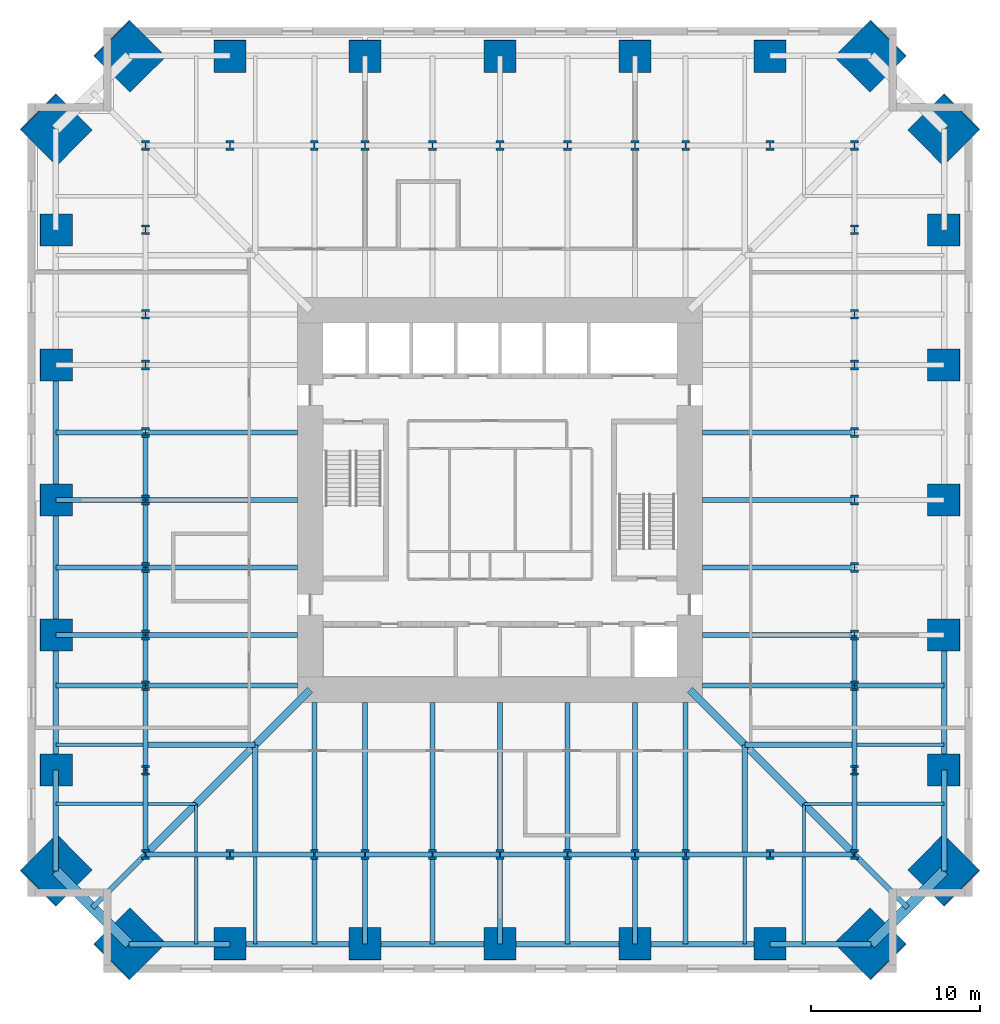
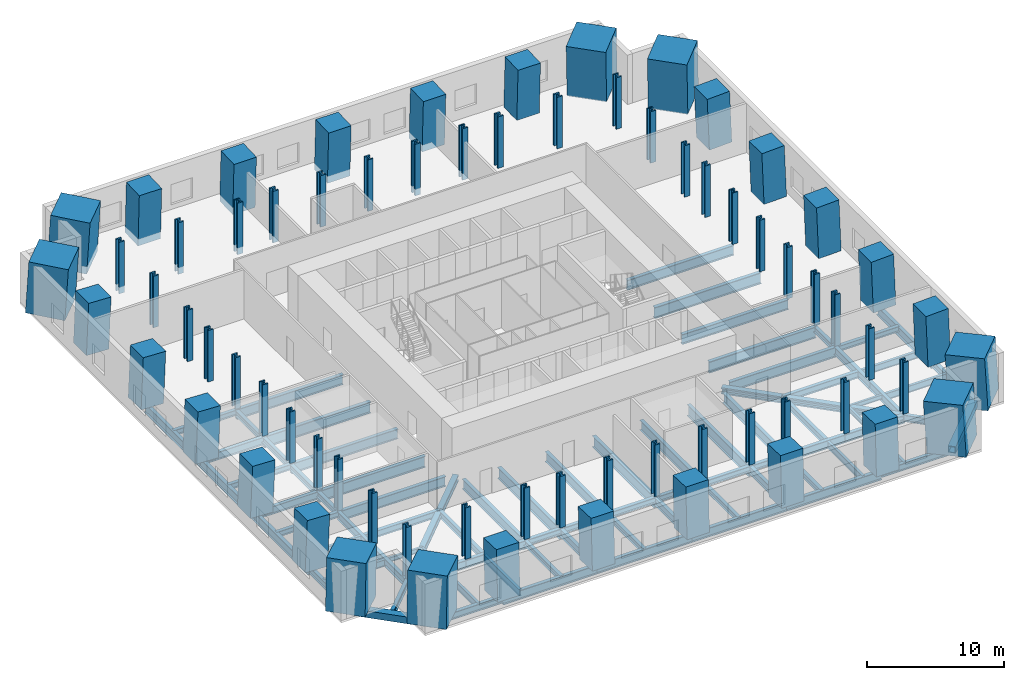
# One storey, part 1 of 8: 83 beams, 68 columns.
"""IFC4 building model written with IfcOpenShell, lengths in metres."""

from ifc_helpers import new_model, si_unit, direction, frame, origin, origin_2d, place, context, subcontext, project, spatial, rectangle, hollow_rectangle, i_section, extrude, material, material_profile, profile_set, type_object, element, save


model = new_model("IFC4")

# Units and contexts
model_context = context("Model", 3, precision=1e-05, world=origin(), true_north=direction((0.0, 1.0)))
body_context = subcontext(model_context, "Body", "Model", "MODEL_VIEW")
ifc_project = project(units=[si_unit("LENGTHUNIT", "METRE"), si_unit("AREAUNIT", "SQUARE_METRE"), si_unit("VOLUMEUNIT", "CUBIC_METRE"), si_unit("PLANEANGLEUNIT", "RADIAN"), si_unit("MASSUNIT", "GRAM", prefix="KILO")], contexts=[model_context])

# Site, building, storey
site_placement = place(None, origin())
site = spatial("IfcSite", under=ifc_project, at=site_placement, CompositionType="ELEMENT")
building_placement = place(site_placement, origin())
building = spatial("IfcBuilding", under=site, at=building_placement, Name="Peilmerk Tower", CompositionType="ELEMENT")
storey_placement = place(building_placement, frame((0.0, 0.0, 113.60009765625)))
storey = spatial("IfcBuildingStorey", under=building, at=storey_placement, Name="L22", CompositionType="ELEMENT", Elevation=113.60009765625)

# Columns
ifc_material_1 = material(Name="Concrete C90/105", Category="concrete")
ifc_material_profile_1 = material_profile(ifc_material_1, rectangle(XDim=3.0, YDim=3.0, at=origin_2d()), Name="RC 3000x3000")
ifc_profile_set_1 = profile_set([ifc_material_profile_1], Name="Concrete C90/105")
column_type_1 = type_object("IfcColumnType", Name="MC1 3000x3000 encased mega column", PredefinedType="COLUMN", material=ifc_profile_set_1)
for number, where, z_axis, x_axis, name in (
    (1, (21.966064453125, 26.316162109375, 0.0), (-0.040219183633, -0.040272173335, 0.998378970794), (0.707572135942, -0.706641119974, 0.0), "Mega column MC1 NE_N L22"),
    (2, (26.316162109375, 21.966064453125, 0.0), (-0.040272173335, -0.040219183633, 0.998378970794), (0.706641119974, -0.707572135942, 0.0), "Mega column MC1 NE_E L22"),
    (3, (26.316162109375, -21.966064453125, 0.0), (-0.040272173335, 0.040219183633, 0.998378970794), (-0.706641119974, -0.707572135942, 0.0), "Mega column MC1 SE_E L22"),
    (4, (21.966064453125, -26.316162109375, 0.0), (-0.040219183633, 0.040272173335, 0.998378970794), (-0.707572135942, -0.706641119974, 0.0), "Mega column MC1 SE_S L22"),
    (5, (-21.966064453125, -26.316162109375, 0.0), (0.040219183633, 0.040272173335, 0.998378970794), (-0.707572135942, 0.706641119974, 0.0), "Mega column MC1 SW_S L22"),
    (6, (-26.316162109375, -21.966064453125, 0.0), (0.040272173335, 0.040219183633, 0.998378970794), (-0.706641119974, 0.707572135942, 0.0), "Mega column MC1 SW_W L22"),
    (7, (-26.316162109375, 21.966064453125, 0.0), (0.040272173335, -0.040219183633, 0.998378970794), (0.706641119974, 0.707572135942, 0.0), "Mega column MC1 NW_W L22"),
    (8, (-21.966064453125, 26.316162109375, 0.0), (0.040219183633, -0.040272173335, 0.998378970794), (0.707572135942, 0.706641119974, 0.0), "Mega column MC1 NW_N L22"),
):
    element("IfcColumn", number, at=place(storey_placement, frame(where, z_axis=z_axis, x_axis=x_axis)), inside=storey, type_object=column_type_1, Name=name, PredefinedType="COLUMN", context=body_context, shape_type="SweptSolid", body=[
        extrude(rectangle(XDim=3.0, YDim=3.0, at=origin_2d()), origin(), (0.0, 0.0, 1.0), 4.607421875),
    ])
ifc_material_profile_2 = material_profile(ifc_material_1, rectangle(XDim=1.89990234375, YDim=1.89990234375, at=origin_2d()), Name="RC 1900x1900")
ifc_profile_set_2 = profile_set([ifc_material_profile_2], Name="Concrete C90/105")
column_type_2 = type_object("IfcColumnType", Name="SC5 1900x1900 encased perimeter column", PredefinedType="COLUMN", material=ifc_profile_set_2)
for number, where, z_axis, x_axis, name in (
    (9, (0.0, 26.316162109375, 0.0), (0.0, -0.04030478469, 0.999187432032), (1.0, 0.0, 0.0), "Perimeter column N+0 L22"),
    (10, (8.0, 26.316162109375, 0.0), (0.0, -0.04030478469, 0.999187432032), (1.0, 0.0, 0.0), "Perimeter column N-8 L22"),
    (11, (-8.0, 26.316162109375, 0.0), (0.0, -0.04030478469, 0.999187432032), (1.0, 0.0, 0.0), "Perimeter column N+8 L22"),
    (12, (16.0, 26.316162109375, 0.0), (0.0, -0.04030478469, 0.999187432032), (1.0, 0.0, 0.0), "Perimeter column N-16 L22"),
    (13, (-16.0, 26.316162109375, 0.0), (0.0, -0.04030478469, 0.999187432032), (1.0, 0.0, 0.0), "Perimeter column N+16 L22"),
    (14, (26.316162109375, 0.0, 0.0), (-0.04030478469, 0.0, 0.999187432032), (0.0, -1.0, 0.0), "Perimeter column E+0 L22"),
    (15, (26.316162109375, -8.0, 0.0), (-0.04030478469, 0.0, 0.999187432032), (0.0, -1.0, 0.0), "Perimeter column E-8 L22"),
    (16, (26.316162109375, 8.0, 0.0), (-0.04030478469, 0.0, 0.999187432032), (0.0, -1.0, 0.0), "Perimeter column E+8 L22"),
    (17, (26.316162109375, -16.0, 0.0), (-0.04030478469, 0.0, 0.999187432032), (0.0, -1.0, 0.0), "Perimeter column E-16 L22"),
    (18, (26.316162109375, 16.0, 0.0), (-0.04030478469, 0.0, 0.999187432032), (0.0, -1.0, 0.0), "Perimeter column E+16 L22"),
    (19, (0.0, -26.316162109375, 0.0), (0.0, 0.04030478469, 0.999187432032), (-1.0, 0.0, 0.0), "Perimeter column S+0 L22"),
    (20, (-8.0, -26.316162109375, 0.0), (0.0, 0.04030478469, 0.999187432032), (-1.0, 0.0, 0.0), "Perimeter column S-8 L22"),
    (21, (8.0, -26.316162109375, 0.0), (0.0, 0.04030478469, 0.999187432032), (-1.0, 0.0, 0.0), "Perimeter column S+8 L22"),
    (22, (-16.0, -26.316162109375, 0.0), (0.0, 0.04030478469, 0.999187432032), (-1.0, 0.0, 0.0), "Perimeter column S-16 L22"),
    (23, (16.0, -26.316162109375, 0.0), (0.0, 0.04030478469, 0.999187432032), (-1.0, 0.0, 0.0), "Perimeter column S+16 L22"),
    (24, (-26.316162109375, 0.0, 0.0), (0.04030478469, 0.0, 0.999187432032), (0.0, 1.0, 0.0), "Perimeter column W+0 L22"),
    (25, (-26.316162109375, 8.0, 0.0), (0.04030478469, 0.0, 0.999187432032), (0.0, 1.0, 0.0), "Perimeter column W-8 L22"),
    (26, (-26.316162109375, -8.0, 0.0), (0.04030478469, 0.0, 0.999187432032), (0.0, 1.0, 0.0), "Perimeter column W+8 L22"),
    (27, (-26.316162109375, 16.0, 0.0), (0.04030478469, 0.0, 0.999187432032), (0.0, 1.0, 0.0), "Perimeter column W-16 L22"),
    (28, (-26.316162109375, -16.0, 0.0), (0.04030478469, 0.0, 0.999187432032), (0.0, 1.0, 0.0), "Perimeter column W+16 L22"),
):
    element("IfcColumn", number, at=place(storey_placement, frame(where, z_axis=z_axis, x_axis=x_axis)), inside=storey, type_object=column_type_2, Name=name, PredefinedType="COLUMN", context=body_context, shape_type="SweptSolid", body=[
        extrude(rectangle(XDim=1.89990234375, YDim=1.89990234375, at=origin_2d()), origin(), (0.0, 0.0, 1.0), 4.603515625),
    ])
ifc_material_2 = material(Name="Steel S460", Category="steel")
ifc_material_profile_3 = material_profile(ifc_material_2, i_section(OverallWidth=0.4541015625, OverallDepth=0.569091796875, WebThickness=0.077880859375, FlangeThickness=0.125, at=origin_2d()), Name="HD 400x1086")
ifc_profile_set_3 = profile_set([ifc_material_profile_3], Name="Steel S460")
column_type_3 = type_object("IfcColumnType", Name="SC6 HD 400x1086 interior column", PredefinedType="COLUMN", material=ifc_profile_set_3)
for number, where, z_axis, x_axis, name in (
    (29, (0.0, 21.0, 0.0), (0.0, 0.0, 1.0), (1.0, 0.0, 0.0), "Interior column N+0 L22"),
    (30, (4.0, 21.0, 0.0), (0.0, 0.0, 1.0), (1.0, 0.0, 0.0), "Interior column N-4 L22"),
    (31, (-4.0, 21.0, 0.0), (0.0, 0.0, 1.0), (1.0, 0.0, 0.0), "Interior column N+4 L22"),
    (32, (8.0, 21.0, 0.0), (0.0, 0.0, 1.0), (1.0, 0.0, 0.0), "Interior column N-8 L22"),
    (33, (-8.0, 21.0, 0.0), (0.0, 0.0, 1.0), (1.0, 0.0, 0.0), "Interior column N+8 L22"),
    (34, (11.0, 21.0, 0.0), (0.0, 0.0, 1.0), (1.0, 0.0, 0.0), "Interior column N-11 L22"),
    (35, (-11.0, 21.0, 0.0), (0.0, 0.0, 1.0), (1.0, 0.0, 0.0), "Interior column N+11 L22"),
    (36, (16.0, 21.0, 0.0), (0.0, 0.0, 1.0), (1.0, 0.0, 0.0), "Interior column N-16 L22"),
    (37, (-16.0, 21.0, 0.0), (0.0, 0.0, 1.0), (1.0, 0.0, 0.0), "Interior column N+16 L22"),
    (38, (21.0, 0.0, 0.0), (0.0, 0.0, 1.0), (1.0, 0.0, 0.0), "Interior column E+0 L22"),
    (39, (21.0, -4.0, 0.0), (0.0, 0.0, 1.0), (1.0, 0.0, 0.0), "Interior column E-4 L22"),
    (40, (21.0, 4.0, 0.0), (0.0, 0.0, 1.0), (1.0, 0.0, 0.0), "Interior column E+4 L22"),
    (41, (21.0, -8.0, 0.0), (0.0, 0.0, 1.0), (1.0, 0.0, 0.0), "Interior column E-8 L22"),
    (42, (21.0, 8.0, 0.0), (0.0, 0.0, 1.0), (1.0, 0.0, 0.0), "Interior column E+8 L22"),
    (43, (21.0, -11.0, 0.0), (0.0, 0.0, 1.0), (1.0, 0.0, 0.0), "Interior column E-11 L22"),
    (44, (21.0, 11.0, 0.0), (0.0, 0.0, 1.0), (1.0, 0.0, 0.0), "Interior column E+11 L22"),
    (45, (21.0, -16.0, 0.0), (0.0, 0.0, 1.0), (1.0, 0.0, 0.0), "Interior column E-16 L22"),
    (46, (21.0, 16.0, 0.0), (0.0, 0.0, 1.0), (1.0, 0.0, 0.0), "Interior column E+16 L22"),
    (47, (0.0, -21.0, 0.0), (0.0, 0.0, 1.0), (1.0, 0.0, 0.0), "Interior column S+0 L22"),
    (48, (-4.0, -21.0, 0.0), (0.0, 0.0, 1.0), (1.0, 0.0, 0.0), "Interior column S-4 L22"),
    (49, (4.0, -21.0, 0.0), (0.0, 0.0, 1.0), (1.0, 0.0, 0.0), "Interior column S+4 L22"),
    (50, (-8.0, -21.0, 0.0), (0.0, 0.0, 1.0), (1.0, 0.0, 0.0), "Interior column S-8 L22"),
    (51, (8.0, -21.0, 0.0), (0.0, 0.0, 1.0), (1.0, 0.0, 0.0), "Interior column S+8 L22"),
    (52, (-11.0, -21.0, 0.0), (0.0, 0.0, 1.0), (1.0, 0.0, 0.0), "Interior column S-11 L22"),
    (53, (11.0, -21.0, 0.0), (0.0, 0.0, 1.0), (1.0, 0.0, 0.0), "Interior column S+11 L22"),
    (54, (-16.0, -21.0, 0.0), (0.0, 0.0, 1.0), (1.0, 0.0, 0.0), "Interior column S-16 L22"),
    (55, (16.0, -21.0, 0.0), (0.0, 0.0, 1.0), (1.0, 0.0, 0.0), "Interior column S+16 L22"),
    (56, (-21.0, 0.0, 0.0), (0.0, 0.0, 1.0), (1.0, 0.0, 0.0), "Interior column W+0 L22"),
    (57, (-21.0, 4.0, 0.0), (0.0, 0.0, 1.0), (1.0, 0.0, 0.0), "Interior column W-4 L22"),
    (58, (-21.0, -4.0, 0.0), (0.0, 0.0, 1.0), (1.0, 0.0, 0.0), "Interior column W+4 L22"),
    (59, (-21.0, 8.0, 0.0), (0.0, 0.0, 1.0), (1.0, 0.0, 0.0), "Interior column W-8 L22"),
    (60, (-21.0, -8.0, 0.0), (0.0, 0.0, 1.0), (1.0, 0.0, 0.0), "Interior column W+8 L22"),
    (61, (-21.0, 11.0, 0.0), (0.0, 0.0, 1.0), (1.0, 0.0, 0.0), "Interior column W-11 L22"),
    (62, (-21.0, -11.0, 0.0), (0.0, 0.0, 1.0), (1.0, 0.0, 0.0), "Interior column W+11 L22"),
    (63, (-21.0, 16.0, 0.0), (0.0, 0.0, 1.0), (1.0, 0.0, 0.0), "Interior column W-16 L22"),
    (64, (-21.0, -16.0, 0.0), (0.0, 0.0, 1.0), (1.0, 0.0, 0.0), "Interior column W+16 L22"),
    (65, (21.0, 21.0, 0.0), (0.0, 0.0, 1.0), (1.0, 0.0, 0.0), "Interior column NE L22"),
    (66, (21.0, -21.0, 0.0), (0.0, 0.0, 1.0), (1.0, 0.0, 0.0), "Interior column SE L22"),
    (67, (-21.0, -21.0, 0.0), (0.0, 0.0, 1.0), (1.0, 0.0, 0.0), "Interior column SW L22"),
    (68, (-21.0, 21.0, 0.0), (0.0, 0.0, 1.0), (1.0, 0.0, 0.0), "Interior column NW L22"),
):
    element("IfcColumn", number, at=place(storey_placement, frame(where, z_axis=z_axis, x_axis=x_axis)), inside=storey, type_object=column_type_3, Name=name, PredefinedType="COLUMN", context=body_context, shape_type="SweptSolid", body=[
        extrude(i_section(OverallWidth=0.4541015625, OverallDepth=0.569091796875, WebThickness=0.077880859375, FlangeThickness=0.125, at=origin_2d()), origin(), (0.0, 0.0, 1.0), 4.599853515625),
    ])

# Beams
ifc_material_3 = material(Name="Steel S355", Category="steel")
ifc_material_profile_4 = material_profile(ifc_material_3, i_section(OverallWidth=0.219970703125, OverallDepth=0.60009765625, WebThickness=0.011962890625, FlangeThickness=0.01904296875, at=origin_2d()), Name="IPE 600")
ifc_profile_set_4 = profile_set([ifc_material_profile_4], Name="Steel S355")
beam_type_1 = type_object("IfcBeamType", Name="B10 IPE 600 floor beam", PredefinedType="BEAM", material=ifc_profile_set_4)
for number, where, z_axis, x_axis, name in (
    (69, (14.5, -21.152099609375, -0.5), (0.0, -1.0, 0.0), (1.0, 0.0, 0.0), "Floor beam L22"),
    (70, (21.152099609375, -14.5, -0.5), (1.0, 0.0, 0.0), (0.0, 1.0, 0.0), "Floor beam L22"),
    (71, (18.0, -21.152099609375, -0.5), (0.0, -1.0, 0.0), (1.0, 0.0, 0.0), "Floor beam L22"),
    (72, (21.152099609375, -18.0, -0.5), (1.0, 0.0, 0.0), (0.0, 1.0, 0.0), "Floor beam L22"),
    (73, (-14.5, -21.152099609375, -0.5), (0.0, -1.0, 0.0), (1.0, 0.0, 0.0), "Floor beam L22"),
    (74, (-21.152099609375, -14.5, -0.5), (-1.0, 0.0, 0.0), (0.0, -1.0, 0.0), "Floor beam L22"),
    (75, (-18.0, -21.152099609375, -0.5), (0.0, -1.0, 0.0), (1.0, 0.0, 0.0), "Floor beam L22"),
    (76, (-21.152099609375, -18.0, -0.5), (-1.0, 0.0, 0.0), (0.0, -1.0, 0.0), "Floor beam L22"),
):
    element("IfcBeam", number, at=place(storey_placement, frame(where, z_axis=z_axis, x_axis=x_axis)), inside=storey, type_object=beam_type_1, Name=name, PredefinedType="BEAM", context=body_context, shape_type="SweptSolid", body=[
        extrude(i_section(OverallWidth=0.219970703125, OverallDepth=0.60009765625, WebThickness=0.011962890625, FlangeThickness=0.01904296875, at=origin_2d()), origin(), (0.0, 0.0, 1.0), 5.1640625),
    ])
ifc_material_profile_5 = material_profile(ifc_material_3, i_section(OverallWidth=0.302978515625, OverallDepth=0.81396484375, WebThickness=0.02099609375, FlangeThickness=0.0400390625, at=origin_2d()), Name="HEM 800")
ifc_profile_set_5 = profile_set([ifc_material_profile_5], Name="Steel S355")
beam_type_2 = type_object("IfcBeamType", Name="B15 HEM 800 edge beam", PredefinedType="SPANDREL", material=ifc_profile_set_5)
for number, where, z_axis, x_axis, name in (
    (77, (26.316162109375, -16.0, -0.607177734375), (0.0, 1.0, 0.0), (-1.0, 0.0, 0.0), "Edge beam L22"),
    (78, (-16.0, -26.316162109375, -0.607177734375), (1.0, 0.0, 0.0), (0.0, 1.0, 0.0), "Edge beam L22"),
    (79, (-8.0, -26.316162109375, -0.607177734375), (1.0, 0.0, 0.0), (0.0, 1.0, 0.0), "Edge beam L22"),
    (80, (0.0, -26.316162109375, -0.607177734375), (1.0, 0.0, 0.0), (0.0, 1.0, 0.0), "Edge beam L22"),
    (81, (8.0, -26.316162109375, -0.607177734375), (1.0, 0.0, 0.0), (0.0, 1.0, 0.0), "Edge beam L22"),
    (82, (-26.316162109375, 8.0, -0.607177734375), (0.0, -1.0, 0.0), (1.0, 0.0, 0.0), "Edge beam L22"),
    (83, (-26.316162109375, 0.0, -0.607177734375), (0.0, -1.0, 0.0), (1.0, 0.0, 0.0), "Edge beam L22"),
    (84, (-26.316162109375, -8.0, -0.607177734375), (0.0, -1.0, 0.0), (1.0, 0.0, 0.0), "Edge beam L22"),
):
    element("IfcBeam", number, at=place(storey_placement, frame(where, z_axis=z_axis, x_axis=x_axis)), inside=storey, type_object=beam_type_2, Name=name, PredefinedType="SPANDREL", context=body_context, shape_type="SweptSolid", body=[
        extrude(i_section(OverallWidth=0.302978515625, OverallDepth=0.81396484375, WebThickness=0.02099609375, FlangeThickness=0.0400390625, at=origin_2d()), origin(), (0.0, 0.0, 1.0), 8.0),
    ])
ifc_material_profile_6 = material_profile(ifc_material_3, i_section(OverallWidth=0.300048828125, OverallDepth=0.68994140625, WebThickness=0.014404296875, FlangeThickness=0.027099609375, at=origin_2d()), Name="HEA 700")
ifc_profile_set_6 = profile_set([ifc_material_profile_6], Name="Steel S355")
beam_type_3 = type_object("IfcBeamType", Name="B16 HEA 700 floor beam", PredefinedType="BEAM", material=ifc_profile_set_6)
for number, where, z_axis, x_axis, name in (
    (85, (-8.0, -21.0, -0.545166015625), (0.0, -1.0, 0.0), (1.0, 0.0, 0.0), "Floor girder L22"),
    (86, (0.0, -21.0, -0.545166015625), (0.0, -1.0, 0.0), (1.0, 0.0, 0.0), "Floor girder L22"),
    (87, (8.0, -21.0, -0.545166015625), (0.0, -1.0, 0.0), (1.0, 0.0, 0.0), "Floor girder L22"),
    (88, (-21.0, 0.0, -0.545166015625), (-1.0, 0.0, 0.0), (0.0, -1.0, 0.0), "Floor girder L22"),
    (89, (-21.0, -8.0, -0.545166015625), (-1.0, 0.0, 0.0), (0.0, -1.0, 0.0), "Floor girder L22"),
):
    element("IfcBeam", number, at=place(storey_placement, frame(where, z_axis=z_axis, x_axis=x_axis)), inside=storey, type_object=beam_type_3, Name=name, PredefinedType="BEAM", context=body_context, shape_type="SweptSolid", body=[
        extrude(i_section(OverallWidth=0.300048828125, OverallDepth=0.68994140625, WebThickness=0.014404296875, FlangeThickness=0.027099609375, at=origin_2d()), origin(), (0.0, 0.0, 1.0), 5.316162109375),
    ])
ifc_material_profile_7 = material_profile(ifc_material_3, i_section(OverallWidth=0.303955078125, OverallDepth=0.716064453125, WebThickness=0.02099609375, FlangeThickness=0.0400390625, at=origin_2d()), Name="HEM 700")
ifc_profile_set_7 = profile_set([ifc_material_profile_7], Name="Steel S355")
beam_type_4 = type_object("IfcBeamType", Name="B19 HEM 700 ring girder", PredefinedType="BEAM", material=ifc_profile_set_7)
for number, where, z_axis, x_axis, name in (
    (90, (21.0, -21.0, -0.55810546875), (0.0, 1.0, 0.0), (-1.0, 0.0, 0.0), "Ring girder L22"),
    (91, (21.0, -16.0, -0.55810546875), (0.0, 1.0, 0.0), (-1.0, 0.0, 0.0), "Ring girder L22"),
    (92, (-21.0, -21.0, -0.55810546875), (1.0, 0.0, 0.0), (0.0, 1.0, 0.0), "Ring girder L22"),
    (93, (-16.0, -21.0, -0.55810546875), (1.0, 0.0, 0.0), (0.0, 1.0, 0.0), "Ring girder L22"),
    (94, (11.0, -21.0, -0.55810546875), (1.0, 0.0, 0.0), (0.0, 1.0, 0.0), "Ring girder L22"),
    (95, (16.0, -21.0, -0.55810546875), (1.0, 0.0, 0.0), (0.0, 1.0, 0.0), "Ring girder L22"),
    (96, (-21.0, -11.0, -0.55810546875), (0.0, -1.0, 0.0), (1.0, 0.0, 0.0), "Ring girder L22"),
    (97, (-21.0, -16.0, -0.55810546875), (0.0, -1.0, 0.0), (1.0, 0.0, 0.0), "Ring girder L22"),
):
    element("IfcBeam", number, at=place(storey_placement, frame(where, z_axis=z_axis, x_axis=x_axis)), inside=storey, type_object=beam_type_4, Name=name, PredefinedType="BEAM", context=body_context, shape_type="SweptSolid", body=[
        extrude(i_section(OverallWidth=0.303955078125, OverallDepth=0.716064453125, WebThickness=0.02099609375, FlangeThickness=0.0400390625, at=origin_2d()), origin(), (0.0, 0.0, 1.0), 5.0),
    ])
ifc_material_profile_8 = material_profile(ifc_material_2, hollow_rectangle(XDim=0.60009765625, YDim=0.60009765625, WallThickness=0.06005859375, at=origin_2d()), Name="BOX 600x600x60")
ifc_profile_set_8 = profile_set([ifc_material_profile_8], Name="Steel S460")
beam_type_5 = type_object("IfcBeamType", Name="B20 BOX 600x600x60 notch beam", PredefinedType="SPANDREL", material=ifc_profile_set_8)
for number, where, z_axis, x_axis, name in (
    (98, (26.316162109375, -21.966064453125, -0.5), (-0.707106781187, -0.707106781187, 0.0), (0.707106781187, -0.707106781187, 0.0), "Notch beam L22"),
    (99, (-21.966064453125, -26.316162109375, -0.5), (-0.707106781187, 0.707106781187, 0.0), (-0.707106781187, -0.707106781187, 0.0), "Notch beam L22"),
):
    element("IfcBeam", number, at=place(storey_placement, frame(where, z_axis=z_axis, x_axis=x_axis)), inside=storey, type_object=beam_type_5, Name=name, PredefinedType="SPANDREL", context=body_context, shape_type="SweptSolid", body=[
        extrude(hollow_rectangle(XDim=0.60009765625, YDim=0.60009765625, WallThickness=0.06005859375, at=origin_2d()), origin(), (0.0, 0.0, 1.0), 6.15185546875),
    ])
ifc_material_profile_9 = material_profile(ifc_material_3, i_section(OverallWidth=0.302001953125, OverallDepth=1.008056640625, WebThickness=0.02099609375, FlangeThickness=0.0400390625, at=origin_2d()), Name="HEM 1000")
ifc_profile_set_9 = profile_set([ifc_material_profile_9], Name="Steel S355")
beam_type_6 = type_object("IfcBeamType", Name="B24 HEM 1000 floor girder", PredefinedType="BEAM", material=ifc_profile_set_9)
for number, where, z_axis, x_axis, name in (
    (100, (12.0, -8.0, -0.7041015625), (1.0, 0.0, 0.0), (0.0, 1.0, 0.0), "Floor girder L22"),
    (101, (12.0, 0.0, -0.7041015625), (1.0, 0.0, 0.0), (0.0, 1.0, 0.0), "Floor girder L22"),
    (102, (-8.0, -12.0, -0.7041015625), (0.0, -1.0, 0.0), (1.0, 0.0, 0.0), "Floor girder L22"),
    (103, (0.0, -12.0, -0.7041015625), (0.0, -1.0, 0.0), (1.0, 0.0, 0.0), "Floor girder L22"),
    (104, (8.0, -12.0, -0.7041015625), (0.0, -1.0, 0.0), (1.0, 0.0, 0.0), "Floor girder L22"),
    (105, (-12.0, 0.0, -0.7041015625), (-1.0, 0.0, 0.0), (0.0, -1.0, 0.0), "Floor girder L22"),
    (106, (-12.0, -8.0, -0.7041015625), (-1.0, 0.0, 0.0), (0.0, -1.0, 0.0), "Floor girder L22"),
):
    element("IfcBeam", number, at=place(storey_placement, frame(where, z_axis=z_axis, x_axis=x_axis)), inside=storey, type_object=beam_type_6, Name=name, PredefinedType="BEAM", context=body_context, shape_type="SweptSolid", body=[
        extrude(i_section(OverallWidth=0.302001953125, OverallDepth=1.008056640625, WebThickness=0.02099609375, FlangeThickness=0.0400390625, at=origin_2d()), origin(), (0.0, 0.0, 1.0), 9.0),
    ])
ifc_material_profile_10 = material_profile(ifc_material_3, i_section(OverallWidth=0.300048828125, OverallDepth=0.590087890625, WebThickness=0.012939453125, FlangeThickness=0.02490234375, at=origin_2d()), Name="HEA 600")
ifc_profile_set_10 = profile_set([ifc_material_profile_10], Name="Steel S355")
beam_type_7 = type_object("IfcBeamType", Name="B27 HEA 600 floor beam", PredefinedType="BEAM", material=ifc_profile_set_10)
beam_1_placement = place(storey_placement, frame((21.0, -21.0, -0.4951171875), z_axis=(0.707106781187, -0.707106781187, 0.0), x_axis=(0.707106781187, 0.707106781187, 0.0)))
element("IfcBeam", 107, at=beam_1_placement, inside=storey, type_object=beam_type_7, Name="Corner girder L22", PredefinedType="BEAM", context=body_context, shape_type="SweptSolid", body=[
    extrude(i_section(OverallWidth=0.300048828125, OverallDepth=0.590087890625, WebThickness=0.012939453125, FlangeThickness=0.02490234375, at=origin_2d()), origin(), (0.0, 0.0, 1.0), 4.442138671875),
])
for number, where, z_axis, x_axis, name in (
    (108, (14.5, -14.5, -0.4951171875), (0.0, -1.0, 0.0), (1.0, 0.0, 0.0), "Floor beam L22"),
    (109, (14.5, -14.5, -0.4951171875), (1.0, 0.0, 0.0), (0.0, 1.0, 0.0), "Floor beam L22"),
):
    element("IfcBeam", number, at=place(storey_placement, frame(where, z_axis=z_axis, x_axis=x_axis)), inside=storey, type_object=beam_type_7, Name=name, PredefinedType="BEAM", context=body_context, shape_type="SweptSolid", body=[
        extrude(i_section(OverallWidth=0.300048828125, OverallDepth=0.590087890625, WebThickness=0.012939453125, FlangeThickness=0.02490234375, at=origin_2d()), origin(), (0.0, 0.0, 1.0), 6.347900390625),
    ])
beam_2_placement = place(storey_placement, frame((-21.0, -21.0, -0.4951171875), z_axis=(-0.707106781187, -0.707106781187, 0.0), x_axis=(0.707106781187, -0.707106781187, 0.0)))
element("IfcBeam", 110, at=beam_2_placement, inside=storey, type_object=beam_type_7, Name="Corner girder L22", PredefinedType="BEAM", context=body_context, shape_type="SweptSolid", body=[
    extrude(i_section(OverallWidth=0.300048828125, OverallDepth=0.590087890625, WebThickness=0.012939453125, FlangeThickness=0.02490234375, at=origin_2d()), origin(), (0.0, 0.0, 1.0), 4.442138671875),
])
for number, where, z_axis, x_axis, name in (
    (111, (-14.5, -14.5, -0.4951171875), (0.0, -1.0, 0.0), (1.0, 0.0, 0.0), "Floor beam L22"),
    (112, (-14.5, -14.5, -0.4951171875), (-1.0, 0.0, 0.0), (0.0, -1.0, 0.0), "Floor beam L22"),
):
    element("IfcBeam", number, at=place(storey_placement, frame(where, z_axis=z_axis, x_axis=x_axis)), inside=storey, type_object=beam_type_7, Name=name, PredefinedType="BEAM", context=body_context, shape_type="SweptSolid", body=[
        extrude(i_section(OverallWidth=0.300048828125, OverallDepth=0.590087890625, WebThickness=0.012939453125, FlangeThickness=0.02490234375, at=origin_2d()), origin(), (0.0, 0.0, 1.0), 6.347900390625),
    ])
ifc_material_profile_11 = material_profile(ifc_material_3, i_section(OverallWidth=0.179931640625, OverallDepth=0.39990234375, WebThickness=0.008544921875, FlangeThickness=0.013427734375, at=origin_2d()), Name="IPE 400")
ifc_profile_set_11 = profile_set([ifc_material_profile_11], Name="Steel S355")
beam_type_8 = type_object("IfcBeamType", Name="B28 IPE 400 floor beam", PredefinedType="BEAM", material=ifc_profile_set_11)
for number, where, z_axis, x_axis, name in (
    (113, (18.0, -18.0, -0.400146484375), (0.0, -1.0, 0.0), (1.0, 0.0, 0.0), "Floor beam L22"),
    (114, (18.0, -18.0, -0.400146484375), (1.0, 0.0, 0.0), (0.0, 1.0, 0.0), "Floor beam L22"),
    (115, (-18.0, -18.0, -0.400146484375), (0.0, -1.0, 0.0), (1.0, 0.0, 0.0), "Floor beam L22"),
    (116, (-18.0, -18.0, -0.400146484375), (-1.0, 0.0, 0.0), (0.0, -1.0, 0.0), "Floor beam L22"),
):
    element("IfcBeam", number, at=place(storey_placement, frame(where, z_axis=z_axis, x_axis=x_axis)), inside=storey, type_object=beam_type_8, Name=name, PredefinedType="BEAM", context=body_context, shape_type="SweptSolid", body=[
        extrude(i_section(OverallWidth=0.179931640625, OverallDepth=0.39990234375, WebThickness=0.008544921875, FlangeThickness=0.013427734375, at=origin_2d()), origin(), (0.0, 0.0, 1.0), 2.847900390625),
    ])
ifc_material_profile_12 = material_profile(ifc_material_3, i_section(OverallWidth=0.300048828125, OverallDepth=0.489990234375, WebThickness=0.011962890625, FlangeThickness=0.02294921875, at=origin_2d()), Name="HEA 500")
ifc_profile_set_12 = profile_set([ifc_material_profile_12], Name="Steel S355")
beam_type_9 = type_object("IfcBeamType", Name="B29 HEA 500 floor beam", PredefinedType="BEAM", material=ifc_profile_set_12)
for number, where, z_axis, x_axis, name in (
    (117, (21.0, -11.0, -0.445068359375), (1.0, 0.0, 0.0), (0.0, 1.0, 0.0), "Floor beam L22"),
    (118, (-11.0, -21.0, -0.445068359375), (0.0, -1.0, 0.0), (1.0, 0.0, 0.0), "Floor beam L22"),
    (119, (-4.0, -21.0, -0.445068359375), (0.0, -1.0, 0.0), (1.0, 0.0, 0.0), "Floor beam L22"),
    (120, (4.0, -21.0, -0.445068359375), (0.0, -1.0, 0.0), (1.0, 0.0, 0.0), "Floor beam L22"),
    (121, (11.0, -21.0, -0.445068359375), (0.0, -1.0, 0.0), (1.0, 0.0, 0.0), "Floor beam L22"),
    (122, (-21.0, 4.0, -0.445068359375), (-1.0, 0.0, 0.0), (0.0, -1.0, 0.0), "Floor beam L22"),
    (123, (-21.0, -4.0, -0.445068359375), (-1.0, 0.0, 0.0), (0.0, -1.0, 0.0), "Floor beam L22"),
    (124, (-21.0, -11.0, -0.445068359375), (-1.0, 0.0, 0.0), (0.0, -1.0, 0.0), "Floor beam L22"),
):
    element("IfcBeam", number, at=place(storey_placement, frame(where, z_axis=z_axis, x_axis=x_axis)), inside=storey, type_object=beam_type_9, Name=name, PredefinedType="BEAM", context=body_context, shape_type="SweptSolid", body=[
        extrude(i_section(OverallWidth=0.300048828125, OverallDepth=0.489990234375, WebThickness=0.011962890625, FlangeThickness=0.02294921875, at=origin_2d()), origin(), (0.0, 0.0, 1.0), 5.316162109375),
    ])
ifc_material_profile_13 = material_profile(ifc_material_3, i_section(OverallWidth=0.304931640625, OverallDepth=0.6201171875, WebThickness=0.02099609375, FlangeThickness=0.0400390625, at=origin_2d()), Name="HEM 600")
ifc_profile_set_13 = profile_set([ifc_material_profile_13], Name="Steel S355")
beam_type_10 = type_object("IfcBeamType", Name="B31 HEM 600 edge beam", PredefinedType="SPANDREL", material=ifc_profile_set_13)
for number, where, z_axis, x_axis, name in (
    (125, (26.316162109375, -21.966064453125, -0.510009765625), (0.0, 1.0, 0.0), (-1.0, 0.0, 0.0), "Edge beam L22"),
    (126, (-21.966064453125, -26.316162109375, -0.510009765625), (1.0, 0.0, 0.0), (0.0, 1.0, 0.0), "Edge beam L22"),
    (127, (16.0, -26.316162109375, -0.510009765625), (1.0, 0.0, 0.0), (0.0, 1.0, 0.0), "Edge beam L22"),
    (128, (-26.316162109375, -16.0, -0.510009765625), (0.0, -1.0, 0.0), (1.0, 0.0, 0.0), "Edge beam L22"),
):
    element("IfcBeam", number, at=place(storey_placement, frame(where, z_axis=z_axis, x_axis=x_axis)), inside=storey, type_object=beam_type_10, Name=name, PredefinedType="SPANDREL", context=body_context, shape_type="SweptSolid", body=[
        extrude(i_section(OverallWidth=0.304931640625, OverallDepth=0.6201171875, WebThickness=0.02099609375, FlangeThickness=0.0400390625, at=origin_2d()), origin(), (0.0, 0.0, 1.0), 5.966064453125),
    ])
ifc_material_profile_14 = material_profile(ifc_material_3, i_section(OverallWidth=0.300048828125, OverallDepth=0.889892578125, WebThickness=0.01611328125, FlangeThickness=0.030029296875, at=origin_2d()), Name="HEA 900")
ifc_profile_set_14 = profile_set([ifc_material_profile_14], Name="Steel S355")
beam_type_11 = type_object("IfcBeamType", Name="B4 HEA 900 floor beam", PredefinedType="BEAM", material=ifc_profile_set_14)
for number, where, z_axis, x_axis, name in (
    (129, (12.0, -11.0, -0.64501953125), (1.0, 0.0, 0.0), (0.0, 1.0, 0.0), "Floor beam L22"),
    (130, (12.0, -4.0, -0.64501953125), (1.0, 0.0, 0.0), (0.0, 1.0, 0.0), "Floor beam L22"),
    (131, (12.0, 4.0, -0.64501953125), (1.0, 0.0, 0.0), (0.0, 1.0, 0.0), "Floor beam L22"),
    (132, (-11.0, -12.0, -0.64501953125), (0.0, -1.0, 0.0), (1.0, 0.0, 0.0), "Floor beam L22"),
    (133, (-4.0, -12.0, -0.64501953125), (0.0, -1.0, 0.0), (1.0, 0.0, 0.0), "Floor beam L22"),
    (134, (4.0, -12.0, -0.64501953125), (0.0, -1.0, 0.0), (1.0, 0.0, 0.0), "Floor beam L22"),
    (135, (11.0, -12.0, -0.64501953125), (0.0, -1.0, 0.0), (1.0, 0.0, 0.0), "Floor beam L22"),
    (136, (-12.0, 4.0, -0.64501953125), (-1.0, 0.0, 0.0), (0.0, -1.0, 0.0), "Floor beam L22"),
    (137, (-12.0, -4.0, -0.64501953125), (-1.0, 0.0, 0.0), (0.0, -1.0, 0.0), "Floor beam L22"),
    (138, (-12.0, -11.0, -0.64501953125), (-1.0, 0.0, 0.0), (0.0, -1.0, 0.0), "Floor beam L22"),
):
    element("IfcBeam", number, at=place(storey_placement, frame(where, z_axis=z_axis, x_axis=x_axis)), inside=storey, type_object=beam_type_11, Name=name, PredefinedType="BEAM", context=body_context, shape_type="SweptSolid", body=[
        extrude(i_section(OverallWidth=0.300048828125, OverallDepth=0.889892578125, WebThickness=0.01611328125, FlangeThickness=0.030029296875, at=origin_2d()), origin(), (0.0, 0.0, 1.0), 9.0),
    ])
ifc_material_profile_15 = material_profile(ifc_material_3, i_section(OverallWidth=0.305908203125, OverallDepth=0.52392578125, WebThickness=0.02099609375, FlangeThickness=0.0400390625, at=origin_2d()), Name="HEM 500")
ifc_profile_set_15 = profile_set([ifc_material_profile_15], Name="Steel S355")
beam_type_12 = type_object("IfcBeamType", Name="B7 HEM 500 ring girder", PredefinedType="BEAM", material=ifc_profile_set_15)
for number, where, z_axis, x_axis, name in (
    (139, (21.0, -11.0, -0.462158203125), (0.0, 1.0, 0.0), (-1.0, 0.0, 0.0), "Ring girder L22"),
    (140, (-11.0, -21.0, -0.462158203125), (1.0, 0.0, 0.0), (0.0, 1.0, 0.0), "Ring girder L22"),
):
    element("IfcBeam", number, at=place(storey_placement, frame(where, z_axis=z_axis, x_axis=x_axis)), inside=storey, type_object=beam_type_12, Name=name, PredefinedType="BEAM", context=body_context, shape_type="SweptSolid", body=[
        extrude(i_section(OverallWidth=0.305908203125, OverallDepth=0.52392578125, WebThickness=0.02099609375, FlangeThickness=0.0400390625, at=origin_2d()), origin(), (0.0, 0.0, 1.0), 3.0),
    ])
for number, where, z_axis, x_axis, name in (
    (141, (-8.0, -21.0, -0.462158203125), (1.0, 0.0, 0.0), (0.0, 1.0, 0.0), "Ring girder L22"),
    (142, (-4.0, -21.0, -0.462158203125), (1.0, 0.0, 0.0), (0.0, 1.0, 0.0), "Ring girder L22"),
    (143, (0.0, -21.0, -0.462158203125), (1.0, 0.0, 0.0), (0.0, 1.0, 0.0), "Ring girder L22"),
    (144, (4.0, -21.0, -0.462158203125), (1.0, 0.0, 0.0), (0.0, 1.0, 0.0), "Ring girder L22"),
):
    element("IfcBeam", number, at=place(storey_placement, frame(where, z_axis=z_axis, x_axis=x_axis)), inside=storey, type_object=beam_type_12, Name=name, PredefinedType="BEAM", context=body_context, shape_type="SweptSolid", body=[
        extrude(i_section(OverallWidth=0.305908203125, OverallDepth=0.52392578125, WebThickness=0.02099609375, FlangeThickness=0.0400390625, at=origin_2d()), origin(), (0.0, 0.0, 1.0), 4.0),
    ])
beam_3_placement = place(storey_placement, frame((8.0, -21.0, -0.462158203125), z_axis=(1.0, 0.0, 0.0), x_axis=(0.0, 1.0, 0.0)))
element("IfcBeam", 145, at=beam_3_placement, inside=storey, type_object=beam_type_12, Name="Ring girder L22", PredefinedType="BEAM", context=body_context, shape_type="SweptSolid", body=[
    extrude(i_section(OverallWidth=0.305908203125, OverallDepth=0.52392578125, WebThickness=0.02099609375, FlangeThickness=0.0400390625, at=origin_2d()), origin(), (0.0, 0.0, 1.0), 3.0),
])
for number, where, z_axis, x_axis, name in (
    (146, (-21.0, 4.0, -0.462158203125), (0.0, -1.0, 0.0), (1.0, 0.0, 0.0), "Ring girder L22"),
    (147, (-21.0, 0.0, -0.462158203125), (0.0, -1.0, 0.0), (1.0, 0.0, 0.0), "Ring girder L22"),
    (148, (-21.0, -4.0, -0.462158203125), (0.0, -1.0, 0.0), (1.0, 0.0, 0.0), "Ring girder L22"),
):
    element("IfcBeam", number, at=place(storey_placement, frame(where, z_axis=z_axis, x_axis=x_axis)), inside=storey, type_object=beam_type_12, Name=name, PredefinedType="BEAM", context=body_context, shape_type="SweptSolid", body=[
        extrude(i_section(OverallWidth=0.305908203125, OverallDepth=0.52392578125, WebThickness=0.02099609375, FlangeThickness=0.0400390625, at=origin_2d()), origin(), (0.0, 0.0, 1.0), 4.0),
    ])
beam_4_placement = place(storey_placement, frame((-21.0, -8.0, -0.462158203125), z_axis=(0.0, -1.0, 0.0), x_axis=(1.0, 0.0, 0.0)))
element("IfcBeam", 149, at=beam_4_placement, inside=storey, type_object=beam_type_12, Name="Ring girder L22", PredefinedType="BEAM", context=body_context, shape_type="SweptSolid", body=[
    extrude(i_section(OverallWidth=0.305908203125, OverallDepth=0.52392578125, WebThickness=0.02099609375, FlangeThickness=0.0400390625, at=origin_2d()), origin(), (0.0, 0.0, 1.0), 3.0),
])
ifc_material_profile_16 = material_profile(ifc_material_2, i_section(OverallWidth=0.4541015625, OverallDepth=0.569091796875, WebThickness=0.077880859375, FlangeThickness=0.125, at=origin_2d()), Name="HD 400x1086")
ifc_profile_set_16 = profile_set([ifc_material_profile_16], Name="Steel S460")
beam_type_13 = type_object("IfcBeamType", Name="B9 HD 400x1086 corner girder", PredefinedType="BEAM", material=ifc_profile_set_16)
for number, where, z_axis, x_axis, name in (
    (150, (11.25, -11.25, -0.484619140625), (0.707106781187, -0.707106781187, 0.0), (0.707106781187, 0.707106781187, 0.0), "Corner girder L22"),
    (151, (-11.25, -11.25, -0.484619140625), (-0.707106781187, -0.707106781187, 0.0), (0.707106781187, -0.707106781187, 0.0), "Corner girder L22"),
):
    element("IfcBeam", number, at=place(storey_placement, frame(where, z_axis=z_axis, x_axis=x_axis)), inside=storey, type_object=beam_type_13, Name=name, PredefinedType="BEAM", context=body_context, shape_type="SweptSolid", body=[
        extrude(i_section(OverallWidth=0.4541015625, OverallDepth=0.569091796875, WebThickness=0.077880859375, FlangeThickness=0.125, at=origin_2d()), origin(), (0.0, 0.0, 1.0), 13.78857421875),
    ])

save(model, "model.ifc")
